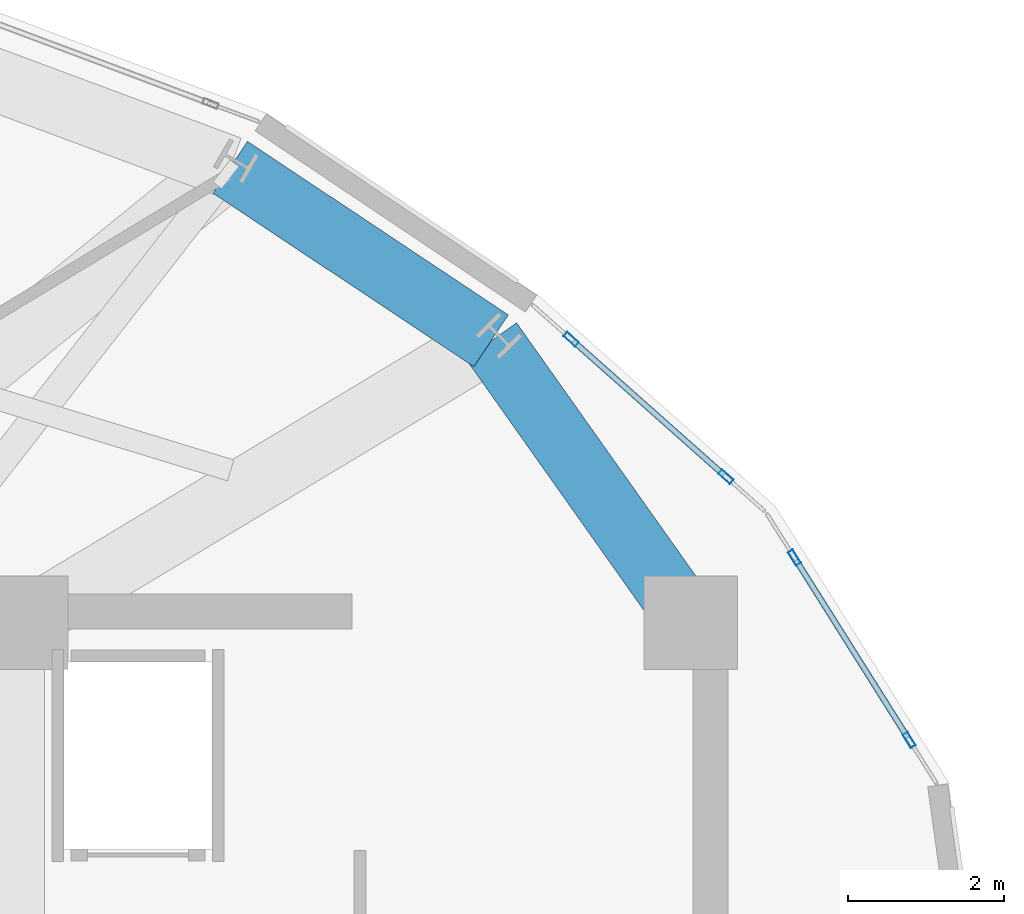
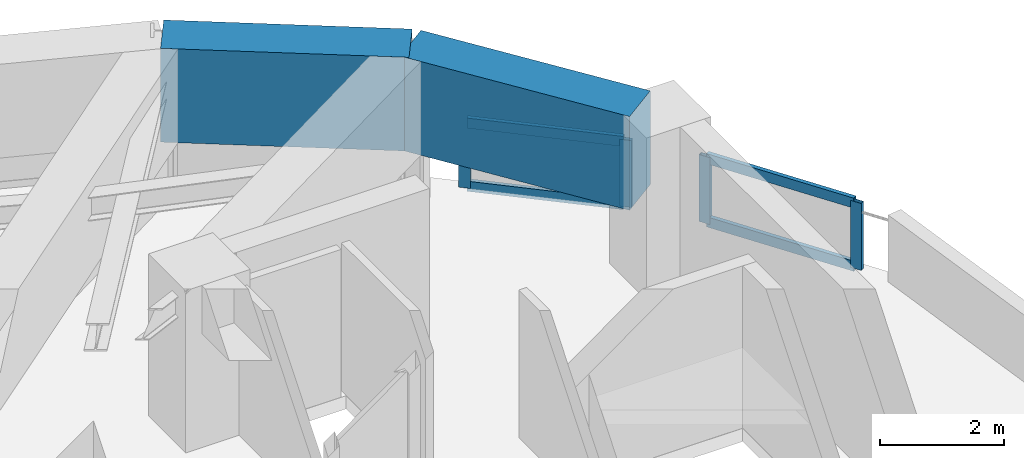
# One storey, part 12 of 18: 8 members, 2 beams, 2 elements without a shape of their own.
"""IFC4 building model written with IfcOpenShell, lengths in metres."""

from ifc_helpers import new_model, si_unit, direction, frame, origin, origin_2d, place, context, subcontext, project, spatial, rectangle, hollow_rectangle, extrude, material, layer, layer_set, material_profile, profile_set, type_object, element, aggregate, save


model = new_model("IFC4")

# Units and contexts
model_context = context("Model", 3, precision=1e-05, world=origin(), true_north=direction((0.0, 1.0)))
body_context = subcontext(model_context, "Body", "Model", "MODEL_VIEW")
ifc_project = project(units=[si_unit("LENGTHUNIT", "METRE"), si_unit("AREAUNIT", "SQUARE_METRE"), si_unit("VOLUMEUNIT", "CUBIC_METRE"), si_unit("PLANEANGLEUNIT", "RADIAN"), si_unit("MASSUNIT", "GRAM", prefix="KILO")], contexts=[model_context])

# Site, building, storey
site_placement = place(None, origin())
site = spatial("IfcSite", under=ifc_project, at=site_placement, CompositionType="ELEMENT")
building_placement = place(site_placement, origin())
building = spatial("IfcBuilding", under=site, at=building_placement, Name="Solvane Sanctuary Tower", CompositionType="ELEMENT")
storey_placement = place(building_placement, frame((0.0, 0.0, 266.800048828125)))
storey = spatial("IfcBuildingStorey", under=building, at=storey_placement, Name="L81", CompositionType="ELEMENT", Elevation=266.800048828125)

# Beams
ifc_material_1 = material(Name="Concrete C70/85", Category="concrete")
ifc_material_profile_1 = material_profile(ifc_material_1, rectangle(XDim=0.800048828125, YDim=1.85009765625, at=origin_2d()), Name="RC800X1850")
ifc_profile_set_1 = profile_set([ifc_material_profile_1], Name="Concrete C70/85")
beam_type = type_object("IfcBeamType", Name="Beam B-XFER-BLK RC800X1850", PredefinedType="BEAM", material=ifc_profile_set_1)
beam_1_placement = place(storey_placement, frame((42.7841796875, 36.051025390625, 2.27490234375), z_axis=(0.832637946712, -0.55381770439, 0.0), x_axis=(0.55381770439, 0.832637946712, 0.0)))
element("IfcBeam", 1, at=beam_1_placement, inside=storey, type_object=beam_type, Name="L81 Perimeter Step Transfer Ring NTC02-NTC01", PredefinedType="BEAM", context=body_context, shape_type="SweptSolid", body=[
    extrude(rectangle(XDim=0.800048828125, YDim=1.85009765625, at=origin_2d()), origin(), (0.0, 0.0, 1.0), 4.0234375),
])
beam_2_placement = place(storey_placement, frame((46.13427734375, 33.82275390625, 2.27490234375), z_axis=(0.577972504219, -0.816056238483, 0.0), x_axis=(0.816056238483, 0.577972504219, 0.0)))
element("IfcBeam", 2, at=beam_2_placement, inside=storey, type_object=beam_type, Name="L81 Perimeter Step Transfer Ring NTC01-CE3", PredefinedType="BEAM", context=body_context, shape_type="SweptSolid", body=[
    extrude(rectangle(XDim=0.800048828125, YDim=1.85009765625, at=origin_2d()), origin(), (0.0, 0.0, 1.0), 4.0791015625),
])

# Curtain wall, members
ifc_material_2 = material(Name="Anodised Aluminium 6063-T6", Category="aluminium")
ifc_layer = layer(ifc_material_2, 0.219970703125, Name="Anodised Aluminium 6063-T6")
ifc_layer_set = layer_set([ifc_layer], Name="Anodised Aluminium 6063-T6")
curtain_wall_type = type_object("IfcCurtainWallType", Name="Curtain Wall CW-CROWN", PredefinedType="NOTDEFINED", material=ifc_layer_set)
curtain_wall_1_placement = place(storey_placement, origin())
curtain_wall_1 = element("IfcCurtainWall", 3, at=curtain_wall_1_placement, inside=storey, type_object=curtain_wall_type, Name="L81 Crown Fritted Lantern Curtain Wall 01", PredefinedType="NOTDEFINED")
ifc_material_profile_2 = material_profile(ifc_material_2, hollow_rectangle(XDim=0.074951171875, YDim=0.199951171875, WallThickness=0.00390625, at=origin_2d()), Name="ALU200X75X4")
ifc_profile_set_2 = profile_set([ifc_material_profile_2], Name="Anodised Aluminium 6063-T6")
member_type_1 = type_object("IfcMemberType", Name="Member M-CW-MUL-1 ALU200X75X4", PredefinedType="MULLION", material=ifc_profile_set_2)
member_1_placement = place(storey_placement, frame((51.502685546875, 28.697509765625, 0.0), z_axis=(0.0, 0.0, 1.0), x_axis=(-0.846332102963, -0.532655584308, 0.0)))
member_1 = element("IfcMember", 4, at=member_1_placement, type_object=member_type_1, Name="CW-CROWN mullion 1", PredefinedType="MULLION", context=body_context, shape_type="SweptSolid", body=[
    extrude(hollow_rectangle(XDim=0.074951171875, YDim=0.199951171875, WallThickness=0.00390625, at=origin_2d()), origin(), (0.0, 0.0, 1.0), 1.320068359375),
])
member_2_placement = place(storey_placement, frame((50.028564453125, 31.0400390625, 0.0), z_axis=(0.0, 0.0, 1.0), x_axis=(-0.846332102963, -0.532655584308, 0.0)))
member_2 = element("IfcMember", 5, at=member_2_placement, type_object=member_type_1, Name="CW-CROWN mullion 2", PredefinedType="MULLION", context=body_context, shape_type="SweptSolid", body=[
    extrude(hollow_rectangle(XDim=0.074951171875, YDim=0.199951171875, WallThickness=0.00390625, at=origin_2d()), origin(), (0.0, 0.0, 1.0), 1.320068359375),
])

curtain_wall_2_placement = place(storey_placement, origin())
curtain_wall_2 = element("IfcCurtainWall", 6, at=curtain_wall_2_placement, inside=storey, type_object=curtain_wall_type, Name="L81 Crown Fritted Lantern Curtain Wall 02", PredefinedType="NOTDEFINED")
member_3_placement = place(storey_placement, frame((49.148193359375, 32.078369140625, 0.0), z_axis=(0.0, 0.0, 1.0), x_axis=(-0.664070848204, -0.74766965203, 0.0)))
member_3 = element("IfcMember", 7, at=member_3_placement, type_object=member_type_1, Name="CW-CROWN mullion 1", PredefinedType="MULLION", context=body_context, shape_type="SweptSolid", body=[
    extrude(hollow_rectangle(XDim=0.074951171875, YDim=0.199951171875, WallThickness=0.00390625, at=origin_2d()), origin(), (0.0, 0.0, 1.0), 1.320068359375),
])
member_4_placement = place(storey_placement, frame((47.16064453125, 33.84375, 0.0), z_axis=(0.0, 0.0, 1.0), x_axis=(-0.664070848204, -0.74766965203, 0.0)))
member_4 = element("IfcMember", 8, at=member_4_placement, type_object=member_type_1, Name="CW-CROWN mullion 2", PredefinedType="MULLION", context=body_context, shape_type="SweptSolid", body=[
    extrude(hollow_rectangle(XDim=0.074951171875, YDim=0.199951171875, WallThickness=0.00390625, at=origin_2d()), origin(), (0.0, 0.0, 1.0), 1.320068359375),
])

# Member
ifc_material_profile_3 = material_profile(ifc_material_2, hollow_rectangle(XDim=0.074951171875, YDim=0.199951171875, WallThickness=0.00390625, at=origin_2d()), Name="ALU200X75X4")
ifc_profile_set_3 = profile_set([ifc_material_profile_3], Name="Anodised Aluminium 6063-T6")
member_type_2 = type_object("IfcMemberType", Name="Member M-CW-TRN-2 ALU200X75X4", PredefinedType="USERDEFINED", material=ifc_profile_set_3)
member_5_placement = place(storey_placement, frame((51.482666015625, 28.729248046875, 0.037353515625), z_axis=(-0.532644935954, 0.846338804618, 0.0), x_axis=(-0.846338804618, -0.532644935954, 0.0)))
member_5 = element("IfcMember", 9, at=member_5_placement, type_object=member_type_2, Name="CW-CROWN transom 1.1", ObjectType="TRANSOM", PredefinedType="USERDEFINED", context=body_context, shape_type="SweptSolid", body=[
    extrude(hollow_rectangle(XDim=0.074951171875, YDim=0.199951171875, WallThickness=0.00390625, at=origin_2d()), origin(), (0.0, 0.0, 1.0), 2.69287109375),
])

member_6_placement = place(storey_placement, frame((51.482666015625, 28.729248046875, 1.282470703125), z_axis=(-0.532644935954, 0.846338804618, 0.0), x_axis=(-0.846338804618, -0.532644935954, 0.0)))
member_6 = element("IfcMember", 10, at=member_6_placement, type_object=member_type_2, Name="CW-CROWN transom 1.2", ObjectType="TRANSOM", PredefinedType="USERDEFINED", context=body_context, shape_type="SweptSolid", body=[
    extrude(hollow_rectangle(XDim=0.074951171875, YDim=0.199951171875, WallThickness=0.00390625, at=origin_2d()), origin(), (0.0, 0.0, 1.0), 2.69287109375),
])

aggregate(curtain_wall_1, [member_1, member_2, member_5, member_6])

member_7_placement = place(storey_placement, frame((49.1201171875, 32.103271484375, 0.037353515625), z_axis=(-0.747643909836, 0.66409982991, 0.0), x_axis=(-0.66409982991, -0.747643909836, 0.0)))
member_7 = element("IfcMember", 11, at=member_7_placement, type_object=member_type_2, Name="CW-CROWN transom 1.1", ObjectType="TRANSOM", PredefinedType="USERDEFINED", context=body_context, shape_type="SweptSolid", body=[
    extrude(hollow_rectangle(XDim=0.074951171875, YDim=0.199951171875, WallThickness=0.00390625, at=origin_2d()), origin(), (0.0, 0.0, 1.0), 2.583251953125),
])

member_8_placement = place(storey_placement, frame((49.1201171875, 32.103271484375, 1.282470703125), z_axis=(-0.747643909836, 0.66409982991, 0.0), x_axis=(-0.66409982991, -0.747643909836, 0.0)))
member_8 = element("IfcMember", 12, at=member_8_placement, type_object=member_type_2, Name="CW-CROWN transom 1.2", ObjectType="TRANSOM", PredefinedType="USERDEFINED", context=body_context, shape_type="SweptSolid", body=[
    extrude(hollow_rectangle(XDim=0.074951171875, YDim=0.199951171875, WallThickness=0.00390625, at=origin_2d()), origin(), (0.0, 0.0, 1.0), 2.583251953125),
])

aggregate(curtain_wall_2, [member_3, member_4, member_7, member_8])

save(model, "model.ifc")
